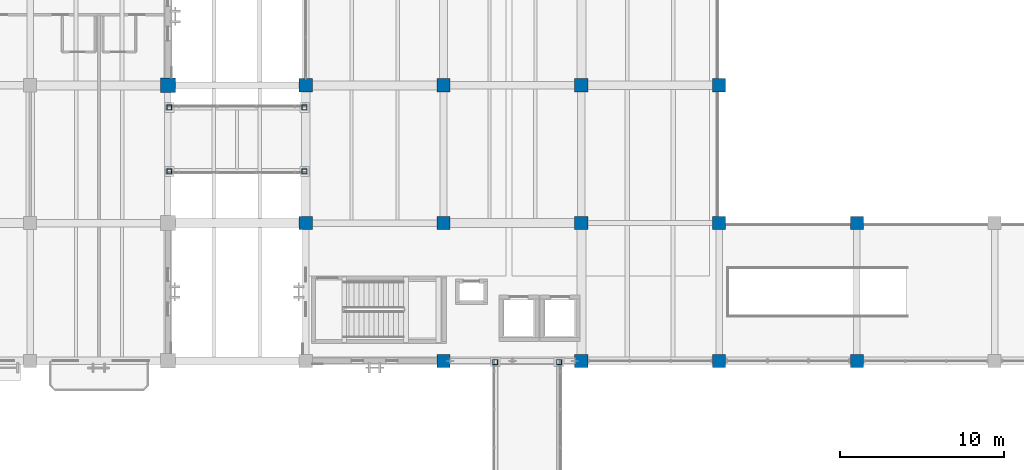
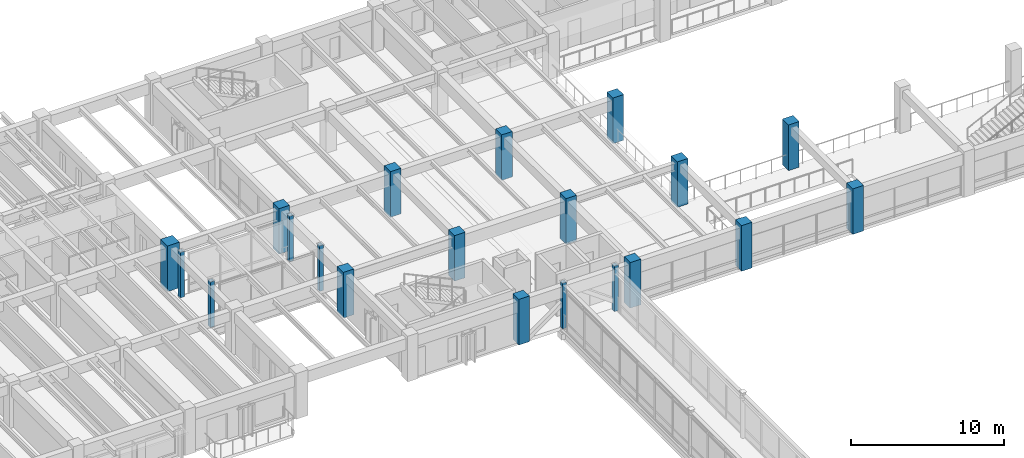
# One storey, part 8 of 118: 20 columns.
"""IFC4 building model written with IfcOpenShell, lengths in metres."""

import ifcopenshell
import ifcopenshell.guid

model = None  # the IFC model being written
_history = None  # IfcOwnerHistory: only IFC2X3 demands one
_inside = {}  # id of a spatial element -> (the spatial element, [elements in it])
_under = {}  # id of a project, library or spatial element -> (it, [spatial elements below it])
_declared = {}  # id of a project -> (the project, [libraries it declares])
_typed = {}  # id of a type object -> (the type object, [elements of that type])
_made_of = {}  # id of a material, layer set ... -> (it, [elements and type objects made of it])


def new_model(schema):
    """Start an empty IFC model of exactly this schema.

    Asked for "IFC4X3", IfcOpenShell would pick the latest addendum, in which some entities
    have other attributes; the version numbers below select the first issue.
    IFC2X3 requires an IfcOwnerHistory on every rooted entity: one is made here for all.
    """
    global model, _history
    if schema == "IFC4X3":
        model = ifcopenshell.file(schema_version=(4, 3, 0, 0))
    else:
        model = ifcopenshell.file(schema=schema)
    _inside.clear()
    _under.clear()
    _declared.clear()
    _typed.clear()
    _made_of.clear()
    _history = None
    if model.schema == "IFC2X3":
        org = make("IfcOrganization", Name="unknown")
        user = make(
            "IfcPersonAndOrganization",
            ThePerson=make("IfcPerson", FamilyName="unknown"),
            TheOrganization=org,
        )
        app = make(
            "IfcApplication",
            ApplicationDeveloper=org,
            Version="unknown",
            ApplicationFullName="unknown",
            ApplicationIdentifier="unknown",
        )
        _history = make(
            "IfcOwnerHistory",
            OwningUser=user,
            OwningApplication=app,
            ChangeAction="ADDED",
            CreationDate=0,
        )
    return model


def make(cls, **values):
    """One entity of the class cls with the attributes given. An attribute that is None is left unset."""
    return model.create_entity(
        cls, **{name: value for name, value in values.items() if value is not None}
    )


def rooted(cls, **values):
    """An entity with a GlobalId (a new one), such as an element, a storey or a relation."""
    return make(cls, GlobalId=ifcopenshell.guid.new(), OwnerHistory=_history, **values)


def si_unit(unit_type, name, prefix=None):
    """IfcSIUnit, for example si_unit("LENGTHUNIT", "METRE", prefix="MILLI")."""
    return make("IfcSIUnit", UnitType=unit_type, Prefix=prefix, Name=name)


def assignment(units):
    """IfcUnitAssignment: the units of a project."""
    return None if units is None else make("IfcUnitAssignment", Units=units)


def point(xyz):
    """IfcCartesianPoint."""
    return None if xyz is None else make("IfcCartesianPoint", Coordinates=xyz)


def direction(xyz):
    """IfcDirection."""
    return None if xyz is None else make("IfcDirection", DirectionRatios=xyz)


def frame(location, z_axis=None, x_axis=None):
    """IfcAxis2Placement3D, a coordinate frame: its origin and axes. An axis left out is left unset."""
    return make(
        "IfcAxis2Placement3D",
        Location=point(location),
        Axis=direction(z_axis),
        RefDirection=direction(x_axis),
    )


def frame_2d(location, x_axis=None):
    """IfcAxis2Placement2D, a coordinate frame in the plane: its origin and x axis."""
    return make(
        "IfcAxis2Placement2D", Location=point(location), RefDirection=direction(x_axis)
    )


def origin():
    """The frame at (0, 0, 0) with its axes left unset."""
    return frame((0.0, 0.0, 0.0))


def origin_2d():
    """The frame at (0, 0) in the plane with its x axis left unset."""
    return frame_2d((0.0, 0.0))


def place(relative_to, where):
    """IfcLocalPlacement: puts the frame where relative to a parent placement (None: the world)."""
    return make(
        "IfcLocalPlacement", PlacementRelTo=relative_to, RelativePlacement=where
    )


def context(
    kind, dimensions, precision=None, world=None, true_north=None, identifier=None
):
    """IfcGeometricRepresentationContext, for example the 3D "Model" context."""
    return make(
        "IfcGeometricRepresentationContext",
        ContextIdentifier=identifier,
        ContextType=kind,
        CoordinateSpaceDimension=dimensions,
        Precision=precision,
        WorldCoordinateSystem=world,
        TrueNorth=true_north,
    )


def subcontext(parent, identifier, kind, view, scale=None):
    """IfcGeometricRepresentationSubContext, for example "Body" below "Model"."""
    return make(
        "IfcGeometricRepresentationSubContext",
        ContextIdentifier=identifier,
        ContextType=kind,
        ParentContext=parent,
        TargetScale=scale,
        TargetView=view,
    )


def project(units=None, contexts=None):
    """IfcProject with its units and contexts."""
    return rooted(
        "IfcProject",
        Name="project",
        RepresentationContexts=contexts,
        UnitsInContext=assignment(units),
    )


def spatial(cls, under=None, at=None, **own):
    """A site, building, storey or space (cls), placed at a placement, below another one or the project."""
    s = rooted(cls, ObjectPlacement=at, **own)
    if under is not None:
        _under.setdefault(under.id(), (under, []))[1].append(s)
    return s


def profile(cls, at=None, kind="AREA", **sizes):
    """A parametric profile (cls). Its sizes go by their IFC names, for example OverallWidth=200.0."""
    return make(cls, ProfileType=kind, Position=at, **sizes)


def rectangle(**sizes):
    """IfcRectangleProfileDef."""
    return profile("IfcRectangleProfileDef", **sizes)


def hollow_rectangle(**sizes):
    """IfcRectangleHollowProfileDef."""
    return profile("IfcRectangleHollowProfileDef", **sizes)


def extrude(swept, where, along, depth):
    """IfcExtrudedAreaSolid: the profile swept, set in the frame where, extruded along a direction by depth."""
    return make(
        "IfcExtrudedAreaSolid",
        SweptArea=swept,
        Position=where,
        ExtrudedDirection=direction(along),
        Depth=depth,
    )


def shape(context_of_items, identifier, shape_type, items):
    """IfcShapeRepresentation: the items that make up one representation, for example the "Body"."""
    return make(
        "IfcShapeRepresentation",
        ContextOfItems=context_of_items,
        RepresentationIdentifier=identifier,
        RepresentationType=shape_type,
        Items=items,
    )


def material(Name=None, Category=None):
    """IfcMaterial."""
    return make("IfcMaterial", Name=Name, Category=Category)


def material_profile(
    of_material, cross_section, Name=None, Category=None, Priority=None
):
    """IfcMaterialProfile: a cross section and its material."""
    return make(
        "IfcMaterialProfile",
        Name=Name,
        Material=of_material,
        Profile=cross_section,
        Priority=Priority,
        Category=Category,
    )


def profile_set(profiles, Name=None, composite=None):
    """IfcMaterialProfileSet."""
    return make(
        "IfcMaterialProfileSet",
        Name=Name,
        MaterialProfiles=profiles,
        CompositeProfile=composite,
    )


def made_of(thing, what):
    """Note that an element or type object is made of a material, layer set ...; save() writes the relation."""
    if what is not None:
        _made_of.setdefault(what.id(), (what, []))[1].append(thing)
    return thing


def type_object(cls, material=None, **own):
    """A type object (cls), such as IfcWallType, which elements share."""
    return made_of(rooted(cls, **own), material)


def element(
    cls,
    number,
    at=None,
    inside=None,
    cuts=None,
    type_object=None,
    material=None,
    context=None,
    identifier="Body",
    shape_type=None,
    held_by="IfcProductDefinitionShape",
    body=None,
    shapes=None,
    **own,
):
    """One element of the class cls, such as IfcWall. Its Tag is "e" and its number.

    at: its placement. inside: the storey or other place that contains it. cuts: it is an
    opening in that element (IfcRelVoidsElement). A single representation is given by context,
    identifier, shape_type and body (its items); several are given by shapes. held_by: the class
    of the entity that holds the representations. save() writes the other relations.
    """
    e = rooted(cls, Tag="e%d" % number, ObjectPlacement=at, **own)
    if body is not None:
        shapes = [shape(context, identifier, shape_type, body)]
    if shapes is not None:
        e.Representation = make(held_by, Representations=shapes)
    if inside is not None:
        _inside.setdefault(inside.id(), (inside, []))[1].append(e)
    if cuts is not None:
        rooted(
            "IfcRelVoidsElement", RelatingBuildingElement=cuts, RelatedOpeningElement=e
        )
    if type_object is not None:
        _typed.setdefault(type_object.id(), (type_object, []))[1].append(e)
    return made_of(e, material)


def aggregate(whole, parts):
    """IfcRelAggregates: a whole, such as a stair, and the parts it consists of."""
    return rooted("IfcRelAggregates", RelatingObject=whole, RelatedObjects=parts)


def save(model, path):
    """Write the relations noted so far, then the file.

    IfcRelAggregates (storeys below a building ...), IfcRelContainedInSpatialStructure (elements
    in a storey), IfcRelDefinesByType, IfcRelAssociatesMaterial and IfcRelDeclares: one each for
    every whole, place, type object, material and project.
    """
    for whole, parts in _under.values():
        aggregate(whole, parts)
    for where, things in _inside.values():
        rooted(
            "IfcRelContainedInSpatialStructure",
            RelatedElements=things,
            RelatingStructure=where,
        )
    for kind, things in _typed.values():
        rooted("IfcRelDefinesByType", RelatedObjects=things, RelatingType=kind)
    for what, things in _made_of.values():
        rooted("IfcRelAssociatesMaterial", RelatedObjects=things, RelatingMaterial=what)
    for by, libraries in _declared.values():
        rooted("IfcRelDeclares", RelatingContext=by, RelatedDefinitions=libraries)
    model.write(path)


model = new_model("IFC4")

# Units and contexts
model_context = context("Model", 3, precision=1e-05, world=origin(), true_north=direction((0.0, 1.0)))
body_context = subcontext(model_context, "Body", "Model", "MODEL_VIEW")
ifc_project = project(units=[si_unit("LENGTHUNIT", "METRE"), si_unit("AREAUNIT", "SQUARE_METRE"), si_unit("VOLUMEUNIT", "CUBIC_METRE"), si_unit("PLANEANGLEUNIT", "RADIAN"), si_unit("MASSUNIT", "GRAM", prefix="KILO")], contexts=[model_context])

# Site, building, storey
site_placement = place(None, origin())
site = spatial("IfcSite", under=ifc_project, at=site_placement, CompositionType="ELEMENT")
building_placement = place(site_placement, origin())
building = spatial("IfcBuilding", under=site, at=building_placement, Name="Cumbredor Promenade Congress Hotel", CompositionType="ELEMENT")
storey_placement = place(building_placement, frame((0.0, 0.0, 3.919921875)))
storey = spatial("IfcBuildingStorey", under=building, at=storey_placement, Name="L01", CompositionType="ELEMENT", Elevation=3.919921875)

# Columns
ifc_material_1 = material(Name="Concrete C50/60", Category="concrete")
ifc_material_profile_1 = material_profile(ifc_material_1, rectangle(XDim=0.800048828125, YDim=0.800048828125, at=origin_2d()), Name="RC 800x800")
ifc_profile_set_1 = profile_set([ifc_material_profile_1], Name="Concrete C50/60")
column_type_1 = type_object("IfcColumnType", Name="COL-RC-800", PredefinedType="COLUMN", material=ifc_profile_set_1)
for number, where, z_axis, x_axis, name in (
    (1, (92.39990234375, 92.39990234375, 0.0), (0.0, 0.0, 1.0), (1.0, 0.0, 0.0), "L01 Structural Column 116"),
    (2, (92.39990234375, 100.800048828125, 0.0), (0.0, 0.0, 1.0), (1.0, 0.0, 0.0), "L01 Structural Column 117"),
    (3, (100.800048828125, 84.0, 0.0), (0.0, 0.0, 1.0), (1.0, 0.0, 0.0), "L01 Structural Column 124"),
    (4, (100.800048828125, 92.39990234375, 0.0), (0.0, 0.0, 1.0), (1.0, 0.0, 0.0), "L01 Structural Column 125"),
    (5, (100.800048828125, 100.800048828125, 0.0), (0.0, 0.0, 1.0), (1.0, 0.0, 0.0), "L01 Structural Column 126"),
    (6, (109.199951171875, 84.0, 0.0), (0.0, 0.0, 1.0), (1.0, 0.0, 0.0), "L01 Structural Column 135"),
    (7, (109.199951171875, 92.39990234375, 0.0), (0.0, 0.0, 1.0), (1.0, 0.0, 0.0), "L01 Structural Column 136"),
    (8, (109.199951171875, 100.800048828125, 0.0), (0.0, 0.0, 1.0), (1.0, 0.0, 0.0), "L01 Structural Column 137"),
    (9, (117.60009765625, 84.0, 0.0), (0.0, 0.0, 1.0), (1.0, 0.0, 0.0), "L01 Structural Column 140"),
    (10, (117.60009765625, 92.39990234375, 0.0), (0.0, 0.0, 1.0), (1.0, 0.0, 0.0), "L01 Structural Column 141"),
    (11, (117.60009765625, 100.800048828125, 0.0), (0.0, 0.0, 1.0), (1.0, 0.0, 0.0), "L01 Structural Column 142"),
    (12, (126.0, 84.0, 0.0), (0.0, 0.0, 1.0), (1.0, 0.0, 0.0), "L01 Structural Column 145"),
    (13, (126.0, 92.39990234375, 0.0), (0.0, 0.0, 1.0), (1.0, 0.0, 0.0), "L01 Structural Column 146"),
):
    element("IfcColumn", number, at=place(storey_placement, frame(where, z_axis=z_axis, x_axis=x_axis)), inside=storey, type_object=column_type_1, Name=name, PredefinedType="COLUMN", context=body_context, shape_type="SweptSolid", body=[
        extrude(rectangle(XDim=0.800048828125, YDim=0.800048828125, at=origin_2d()), origin(), (0.0, 0.0, 1.0), 3.64013671875),
    ])
ifc_material_profile_2 = material_profile(ifc_material_1, rectangle(XDim=0.89990234375, YDim=0.89990234375, at=origin_2d()), Name="RC 900x900")
ifc_profile_set_2 = profile_set([ifc_material_profile_2], Name="Concrete C50/60")
column_type_2 = type_object("IfcColumnType", Name="COL-RC-900", PredefinedType="COLUMN", material=ifc_profile_set_2)
column_placement = place(storey_placement, frame((84.0, 100.800048828125, 0.0), z_axis=(0.0, 0.0, 1.0), x_axis=(1.0, 0.0, 0.0)))
element("IfcColumn", 14, at=column_placement, inside=storey, type_object=column_type_2, Name="L01 Structural Column 108", PredefinedType="COLUMN", context=body_context, shape_type="SweptSolid", body=[
    extrude(rectangle(XDim=0.89990234375, YDim=0.89990234375, at=origin_2d()), origin(), (0.0, 0.0, 1.0), 3.64013671875),
])
ifc_material_2 = material(Name="Steel ASTM A500 Grade C", Category="steel")
ifc_material_profile_3 = material_profile(ifc_material_2, hollow_rectangle(XDim=0.300048828125, YDim=0.300048828125, WallThickness=0.01611328125, at=origin_2d()), Name="HSS 300x300x16")
ifc_profile_set_3 = profile_set([ifc_material_profile_3], Name="Steel ASTM A500 Grade C")
column_type_3 = type_object("IfcColumnType", Name="COL-STL-HSS300", PredefinedType="COLUMN", material=ifc_profile_set_3)
for number, where, z_axis, x_axis, name in (
    (15, (103.949951171875, 83.919921875, 0.0), (0.0, 0.0, 1.0), (1.0, 0.0, 0.0), "L01 Central Reflecting-Pool Promenade Bridge Support Column 3"),
    (16, (107.85009765625, 83.919921875, 0.0), (0.0, 0.0, 1.0), (1.0, 0.0, 0.0), "L01 Central Reflecting-Pool Promenade Bridge Support Column 4"),
    (17, (84.080078125, 95.550048828125, 0.0), (0.0, 0.0, 1.0), (1.0, 0.0, 0.0), "L01 North Hotel-to-Forum Glazed Bridge Support Column 1"),
    (18, (84.080078125, 99.449951171875, 0.0), (0.0, 0.0, 1.0), (1.0, 0.0, 0.0), "L01 North Hotel-to-Forum Glazed Bridge Support Column 2"),
    (19, (92.320068359375, 95.550048828125, 0.0), (0.0, 0.0, 1.0), (1.0, 0.0, 0.0), "L01 North Hotel-to-Forum Glazed Bridge Support Column 3"),
    (20, (92.320068359375, 99.449951171875, 0.0), (0.0, 0.0, 1.0), (1.0, 0.0, 0.0), "L01 North Hotel-to-Forum Glazed Bridge Support Column 4"),
):
    element("IfcColumn", number, at=place(storey_placement, frame(where, z_axis=z_axis, x_axis=x_axis)), inside=storey, type_object=column_type_3, Name=name, PredefinedType="COLUMN", context=body_context, shape_type="SweptSolid", body=[
        extrude(hollow_rectangle(XDim=0.300048828125, YDim=0.300048828125, WallThickness=0.01611328125, at=origin_2d()), origin(), (0.0, 0.0, 1.0), 3.64013671875),
    ])

save(model, "model.ifc")
